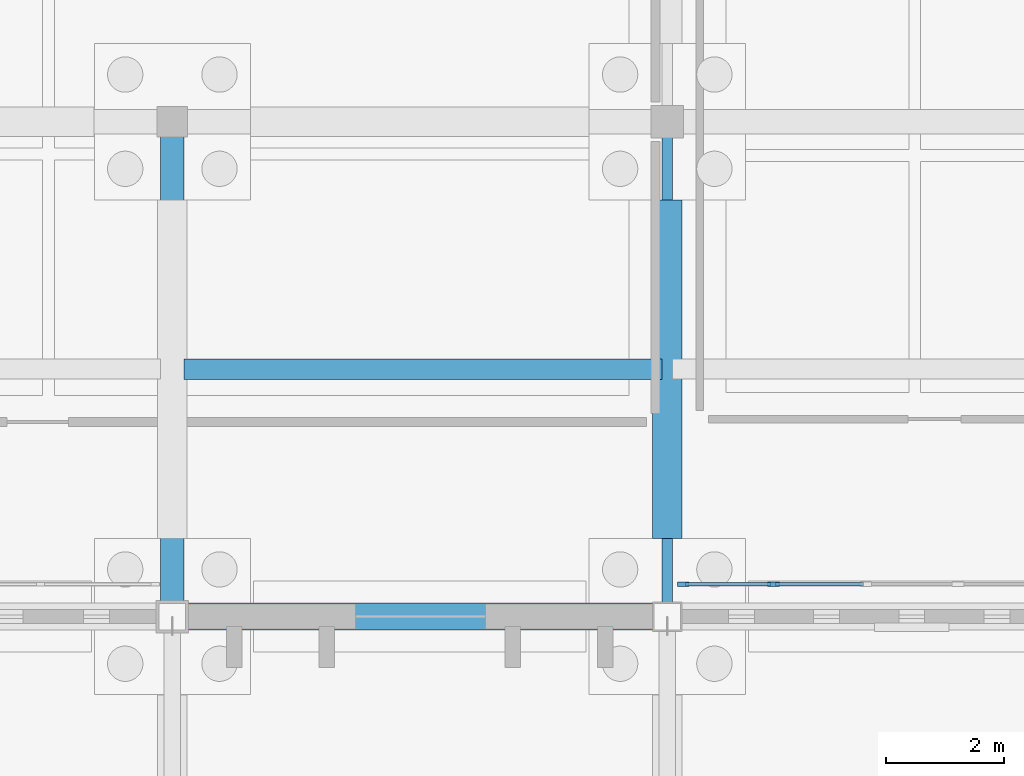
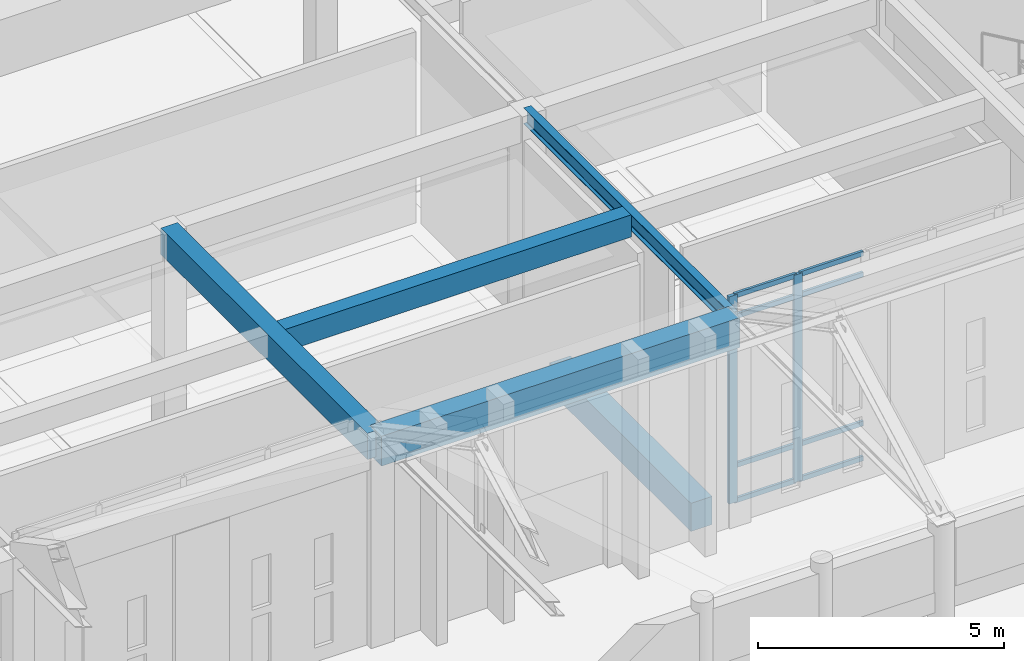
# One storey, part 60 of 143: 10 members, 5 beams, 1 element without a shape of its own.
"""IFC4 building model written with IfcOpenShell, lengths in metres."""

from ifc_helpers import new_model, si_unit, direction, frame, origin, origin_2d, place, context, subcontext, project, spatial, rectangle, i_section, extrude, material, layer, layer_set, material_profile, profile_set, type_object, element, aggregate, save


model = new_model("IFC4")

# Units and contexts
model_context = context("Model", 3, precision=1e-05, world=origin(), true_north=direction((0.0, 1.0)))
body_context = subcontext(model_context, "Body", "Model", "MODEL_VIEW")
ifc_project = project(units=[si_unit("LENGTHUNIT", "METRE"), si_unit("AREAUNIT", "SQUARE_METRE"), si_unit("VOLUMEUNIT", "CUBIC_METRE"), si_unit("PLANEANGLEUNIT", "RADIAN"), si_unit("MASSUNIT", "GRAM", prefix="KILO")], contexts=[model_context])

# Site, building, storey
site_placement = place(None, origin())
site = spatial("IfcSite", under=ifc_project, at=site_placement, CompositionType="ELEMENT")
building_placement = place(site_placement, origin())
building = spatial("IfcBuilding", under=site, at=building_placement, Name="Kveldsbrygga Polytechnic", CompositionType="ELEMENT")
storey_placement = place(building_placement, origin())
storey = spatial("IfcBuildingStorey", under=building, at=storey_placement, Name="L00", CompositionType="ELEMENT", Elevation=0.0)

# Beams
ifc_material_1 = material(Name="Concrete C35/45", Category="concrete")
ifc_material_profile_1 = material_profile(ifc_material_1, rectangle(XDim=0.39990234375, YDim=0.64990234375, at=origin_2d()), Name="RC 400x650")
ifc_profile_set_1 = profile_set([ifc_material_profile_1], Name="Concrete C35/45")
beam_type_1 = type_object("IfcBeamType", Name="BM-RC-400x650", PredefinedType="BEAM", material=ifc_profile_set_1)
beam_1_placement = place(storey_placement, frame((84.0, 84.0, 4.81494140625), z_axis=(0.0, 1.0, 0.0), x_axis=(-1.0, 0.0, 0.0)))
element("IfcBeam", 1, at=beam_1_placement, inside=storey, type_object=beam_type_1, Name="Primary Beam BMY-L00-10-10to11", PredefinedType="BEAM", context=body_context, shape_type="SweptSolid", body=[
    extrude(rectangle(XDim=0.39990234375, YDim=0.64990234375, at=origin_2d()), origin(), (0.0, 0.0, 1.0), 8.39990234375),
])
ifc_material_profile_2 = material_profile(ifc_material_1, rectangle(XDim=0.4599609375, YDim=0.739990234375, at=origin_2d()), Name="RC 460x740")
ifc_profile_set_2 = profile_set([ifc_material_profile_2], Name="Concrete C35/45")
beam_type_2 = type_object("IfcBeamType", Name="BM-RC-460x740", PredefinedType="BEAM", material=ifc_profile_set_2)
beam_2_placement = place(storey_placement, frame((84.0, 84.0, 4.77001953125), z_axis=(1.0, 0.0, 0.0), x_axis=(0.0, 1.0, 0.0)))
element("IfcBeam", 2, at=beam_2_placement, inside=storey, type_object=beam_type_2, Name="Primary Beam BMX-L00-10to11-10", PredefinedType="BEAM", context=body_context, shape_type="SweptSolid", body=[
    extrude(rectangle(XDim=0.4599609375, YDim=0.739990234375, at=origin_2d()), origin(), (0.0, 0.0, 1.0), 8.39990234375),
])
ifc_material_2 = material(Name="Steel S355", Category="steel")
ifc_material_profile_3 = material_profile(ifc_material_2, i_section(OverallWidth=0.179931640625, OverallDepth=0.39990234375, WebThickness=0.008544921875, FlangeThickness=0.013427734375, FilletRadius=0.02099609375, at=origin_2d()), Name="IPE 400")
ifc_profile_set_3 = profile_set([ifc_material_profile_3], Name="Steel S355")
beam_type_3 = type_object("IfcBeamType", Name="BM-STL-IPE400", PredefinedType="BEAM", material=ifc_profile_set_3)
beam_3_placement = place(storey_placement, frame((92.39990234375, 84.0, 4.93994140625), z_axis=(0.0, 1.0, 0.0), x_axis=(-1.0, 0.0, 0.0)))
element("IfcBeam", 3, at=beam_3_placement, inside=storey, type_object=beam_type_3, Name="Primary Beam BMY-L00-11-10to11", PredefinedType="BEAM", context=body_context, shape_type="SweptSolid", body=[
    extrude(i_section(OverallWidth=0.179931640625, OverallDepth=0.39990234375, WebThickness=0.008544921875, FlangeThickness=0.013427734375, FilletRadius=0.02099609375, at=origin_2d()), origin(), (0.0, 0.0, 1.0), 8.39990234375),
])
ifc_material_profile_4 = material_profile(ifc_material_1, rectangle(XDim=0.5, YDim=0.699951171875, at=origin_2d()), Name="RC 500x700")
ifc_profile_set_4 = profile_set([ifc_material_profile_4], Name="Concrete C35/45")
beam_type_4 = type_object("IfcBeamType", Name="BM-TIE-500x700", PredefinedType="BEAM", material=ifc_profile_set_4)
beam_4_placement = place(storey_placement, frame((92.39990234375, 85.326904296875, -0.669921875), z_axis=(0.0, 1.0, 0.0), x_axis=(-1.0, 0.0, 0.0)))
element("IfcBeam", 4, at=beam_4_placement, inside=storey, type_object=beam_type_4, Name="Ground Tie Beam GB-L00-Y-11-10", PredefinedType="BEAM", context=body_context, shape_type="SweptSolid", body=[
    extrude(rectangle(XDim=0.5, YDim=0.699951171875, at=origin_2d()), origin(), (0.0, 0.0, 1.0), 5.74609375),
])

# Curtain wall, members
ifc_material_3 = material(Name="Anodised aluminium AW-6060", Category="aluminium")
ifc_layer = layer(ifc_material_3, 0.18994140625)
ifc_layer_set = layer_set([ifc_layer], Name="Anodised aluminium AW-6060")
curtain_wall_type = type_object("IfcCurtainWallType", Name="CW-REFC-G", PredefinedType="USERDEFINED", material=ifc_layer_set)
curtain_wall_placement = place(storey_placement, origin())
curtain_wall = element("IfcCurtainWall", 5, at=curtain_wall_placement, inside=storey, type_object=curtain_wall_type, Name="Curtain Wall CW-L00-X-11-10", ObjectType="UNITISED CURTAIN WALL", PredefinedType="USERDEFINED")
ifc_material_profile_5 = material_profile(ifc_material_3, rectangle(XDim=0.074951171875, YDim=0.199951171875, at=origin_2d()), Name="ALU 75x200")
ifc_profile_set_5 = profile_set([ifc_material_profile_5], Name="Anodised aluminium AW-6060")
member_type_1 = type_object("IfcMemberType", Name="CW-MUL-200", PredefinedType="MULLION", material=ifc_profile_set_5)
member_1_placement = place(storey_placement, frame((92.672607421875, 84.550048828125, 0.0), z_axis=(0.0, 0.0, 1.0), x_axis=(0.0, 1.0, 0.0)))
member_1 = element("IfcMember", 6, at=member_1_placement, type_object=member_type_1, Name="CW-07 mullion 1", PredefinedType="MULLION", context=body_context, shape_type="SweptSolid", body=[
    extrude(rectangle(XDim=0.074951171875, YDim=0.199951171875, at=origin_2d()), origin(), (0.0, 0.0, 1.0), 5.139892578125),
])
member_2_placement = place(storey_placement, frame((94.200927734375, 84.550048828125, 0.0), z_axis=(0.0, 0.0, 1.0), x_axis=(0.0, 1.0, 0.0)))
member_2 = element("IfcMember", 7, at=member_2_placement, type_object=member_type_1, Name="CW-07 mullion 2", PredefinedType="MULLION", context=body_context, shape_type="SweptSolid", body=[
    extrude(rectangle(XDim=0.074951171875, YDim=0.199951171875, at=origin_2d()), origin(), (0.0, 0.0, 1.0), 5.139892578125),
])
ifc_material_profile_6 = material_profile(ifc_material_3, rectangle(XDim=0.06005859375, YDim=0.1201171875, at=origin_2d()), Name="ALU 60x120")
ifc_profile_set_6 = profile_set([ifc_material_profile_6], Name="Anodised aluminium AW-6060")
member_type_2 = type_object("IfcMemberType", Name="CW-TRN-120", PredefinedType="USERDEFINED", material=ifc_profile_set_6)
member_3_placement = place(storey_placement, frame((92.7099609375, 84.550048828125, 0.030029296875), z_axis=(1.0, 0.0, 0.0), x_axis=(0.0, 1.0, 0.0)))
member_3 = element("IfcMember", 8, at=member_3_placement, type_object=member_type_2, Name="CW-07 transom 1.1", ObjectType="TRANSOM", PredefinedType="USERDEFINED", context=body_context, shape_type="SweptSolid", body=[
    extrude(rectangle(XDim=0.06005859375, YDim=0.1201171875, at=origin_2d()), origin(), (0.0, 0.0, 1.0), 1.45361328125),
])
member_4_placement = place(storey_placement, frame((92.7099609375, 84.550048828125, 0.89990234375), z_axis=(1.0, 0.0, 0.0), x_axis=(0.0, 1.0, 0.0)))
member_4 = element("IfcMember", 9, at=member_4_placement, type_object=member_type_2, Name="CW-07 transom 1.2", ObjectType="TRANSOM", PredefinedType="USERDEFINED", context=body_context, shape_type="SweptSolid", body=[
    extrude(rectangle(XDim=0.06005859375, YDim=0.1201171875, at=origin_2d()), origin(), (0.0, 0.0, 1.0), 1.45361328125),
])
member_5_placement = place(storey_placement, frame((92.7099609375, 84.550048828125, 4.590087890625), z_axis=(1.0, 0.0, 0.0), x_axis=(0.0, 1.0, 0.0)))
member_5 = element("IfcMember", 10, at=member_5_placement, type_object=member_type_2, Name="CW-07 transom 1.3", ObjectType="TRANSOM", PredefinedType="USERDEFINED", context=body_context, shape_type="SweptSolid", body=[
    extrude(rectangle(XDim=0.06005859375, YDim=0.1201171875, at=origin_2d()), origin(), (0.0, 0.0, 1.0), 1.45361328125),
])
member_6_placement = place(storey_placement, frame((92.7099609375, 84.550048828125, 5.110107421875), z_axis=(1.0, 0.0, 0.0), x_axis=(0.0, 1.0, 0.0)))
member_6 = element("IfcMember", 11, at=member_6_placement, type_object=member_type_2, Name="CW-07 transom 1.4", ObjectType="TRANSOM", PredefinedType="USERDEFINED", context=body_context, shape_type="SweptSolid", body=[
    extrude(rectangle(XDim=0.06005859375, YDim=0.1201171875, at=origin_2d()), origin(), (0.0, 0.0, 1.0), 1.45361328125),
])
member_7_placement = place(storey_placement, frame((94.238525390625, 84.550048828125, 0.030029296875), z_axis=(1.0, 0.0, 0.0), x_axis=(0.0, 1.0, 0.0)))
member_7 = element("IfcMember", 12, at=member_7_placement, type_object=member_type_2, Name="CW-07 transom 2.1", ObjectType="TRANSOM", PredefinedType="USERDEFINED", context=body_context, shape_type="SweptSolid", body=[
    extrude(rectangle(XDim=0.06005859375, YDim=0.1201171875, at=origin_2d()), origin(), (0.0, 0.0, 1.0), 1.490966796875),
])
member_8_placement = place(storey_placement, frame((94.238525390625, 84.550048828125, 0.89990234375), z_axis=(1.0, 0.0, 0.0), x_axis=(0.0, 1.0, 0.0)))
member_8 = element("IfcMember", 13, at=member_8_placement, type_object=member_type_2, Name="CW-07 transom 2.2", ObjectType="TRANSOM", PredefinedType="USERDEFINED", context=body_context, shape_type="SweptSolid", body=[
    extrude(rectangle(XDim=0.06005859375, YDim=0.1201171875, at=origin_2d()), origin(), (0.0, 0.0, 1.0), 1.490966796875),
])
member_9_placement = place(storey_placement, frame((94.238525390625, 84.550048828125, 4.590087890625), z_axis=(1.0, 0.0, 0.0), x_axis=(0.0, 1.0, 0.0)))
member_9 = element("IfcMember", 14, at=member_9_placement, type_object=member_type_2, Name="CW-07 transom 2.3", ObjectType="TRANSOM", PredefinedType="USERDEFINED", context=body_context, shape_type="SweptSolid", body=[
    extrude(rectangle(XDim=0.06005859375, YDim=0.1201171875, at=origin_2d()), origin(), (0.0, 0.0, 1.0), 1.490966796875),
])
member_10_placement = place(storey_placement, frame((94.238525390625, 84.550048828125, 5.110107421875), z_axis=(1.0, 0.0, 0.0), x_axis=(0.0, 1.0, 0.0)))
member_10 = element("IfcMember", 15, at=member_10_placement, type_object=member_type_2, Name="CW-07 transom 2.4", ObjectType="TRANSOM", PredefinedType="USERDEFINED", context=body_context, shape_type="SweptSolid", body=[
    extrude(rectangle(XDim=0.06005859375, YDim=0.1201171875, at=origin_2d()), origin(), (0.0, 0.0, 1.0), 1.490966796875),
])
aggregate(curtain_wall, [member_1, member_2, member_3, member_4, member_5, member_6, member_7, member_8, member_9, member_10])

# Beam
ifc_material_profile_7 = material_profile(ifc_material_1, rectangle(XDim=0.35009765625, YDim=0.550048828125, at=origin_2d()), Name="RC 350x550")
ifc_profile_set_7 = profile_set([ifc_material_profile_7], Name="Concrete C35/45")
beam_type_5 = type_object("IfcBeamType", Name="JST-RC-350x550", PredefinedType="JOIST", material=ifc_profile_set_7)
beam_5_placement = place(storey_placement, frame((84.199951171875, 88.199951171875, 4.864990234375), z_axis=(1.0, 0.0, 0.0), x_axis=(0.0, 1.0, 0.0)))
element("IfcBeam", 16, at=beam_5_placement, inside=storey, type_object=beam_type_5, Name="Secondary Joist JST-L00-10-10", PredefinedType="JOIST", context=body_context, shape_type="SweptSolid", body=[
    extrude(rectangle(XDim=0.35009765625, YDim=0.550048828125, at=origin_2d()), origin(), (0.0, 0.0, 1.0), 8.110107421875),
])

save(model, "model.ifc")
